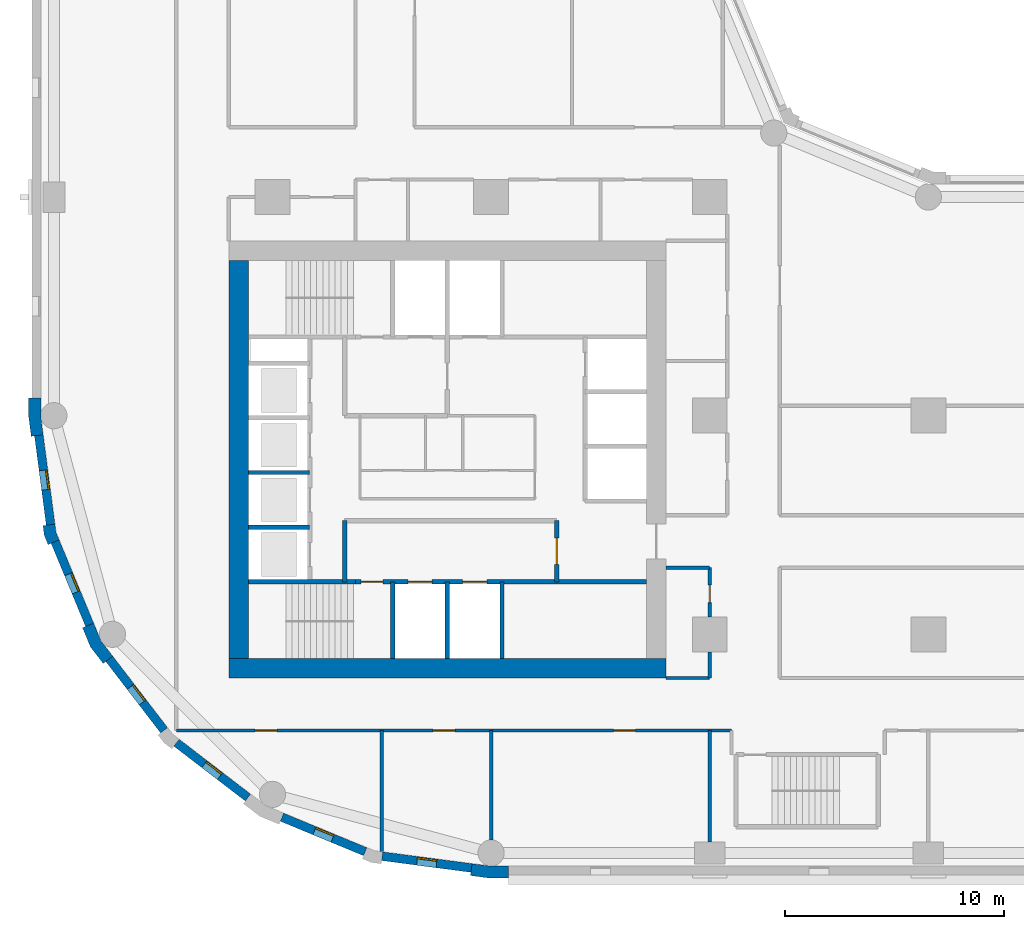
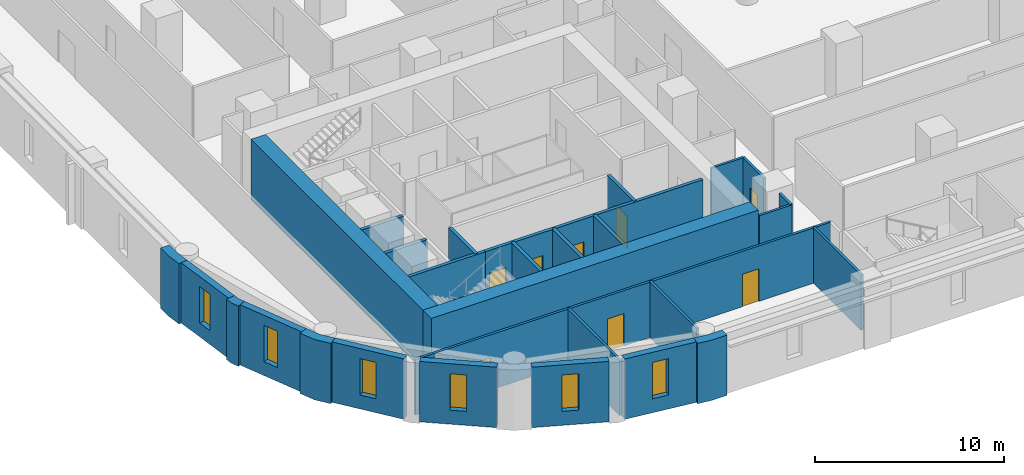
# One storey, part 2 of 10: 29 walls, 8 doors, 6 windows, 14 openings.
"""IFC4 building model written with IfcOpenShell, lengths in metres."""

from ifc_helpers import new_model, si_unit, direction, frame, frame_2d, origin, place, context, subcontext, project, spatial, polyline, rectangle, outline, extrude, material, layer, layer_set, type_object, element, fill, save


model = new_model("IFC4")

# Units and contexts
model_context = context("Model", 3, precision=1e-05, world=origin(), true_north=direction((0.0, 1.0)))
body_context = subcontext(model_context, "Body", "Model", "MODEL_VIEW")
ifc_project = project(units=[si_unit("LENGTHUNIT", "METRE"), si_unit("AREAUNIT", "SQUARE_METRE"), si_unit("VOLUMEUNIT", "CUBIC_METRE"), si_unit("PLANEANGLEUNIT", "RADIAN"), si_unit("MASSUNIT", "GRAM", prefix="KILO")], contexts=[model_context])

# Site, building, storey
site_placement = place(None, origin())
site = spatial("IfcSite", under=ifc_project, at=site_placement, CompositionType="ELEMENT")
building_placement = place(site_placement, origin())
building = spatial("IfcBuilding", under=site, at=building_placement, Name="Qaws Garden Tower", CompositionType="ELEMENT")
storey_placement = place(building_placement, frame((0.0, 0.0, 109.5)))
storey = spatial("IfcBuildingStorey", under=building, at=storey_placement, Name="L27", CompositionType="ELEMENT", Elevation=109.5)

# Wall, opening, window
ifc_material_1 = material(Name="Clay facing brick masonry", Category="masonry")
ifc_layer_1 = layer(ifc_material_1, 0.39990234375)
ifc_layer_set_1 = layer_set([ifc_layer_1], Name="Clay facing brick masonry")
wall_type_1 = type_object("IfcWallType", Name="Brick infill wall 400", PredefinedType="SOLIDWALL", material=ifc_layer_set_1)
wall_1_placement = place(storey_placement, frame((-0.688720703125, 19.102294921875, 0.0), z_axis=(0.0, 0.0, 1.0), x_axis=(0.130514280502, -0.991446429508, 0.0)))
wall_1 = element("IfcWall", 1, at=wall_1_placement, inside=storey, type_object=wall_type_1, Name="E-L27-infill-27", PredefinedType="SOLIDWALL", context=body_context, shape_type="SweptSolid", body=[
    extrude(rectangle(XDim=4.120849609375, YDim=0.39990234375, at=frame_2d((2.060546875, 0.0))), origin(), (0.0, 0.0, 1.0), 3.89990234375),
])
opening_1_placement = place(wall_1_placement, frame((1.610595703125, 0.0, 0.89990234375)))
opening_1 = element("IfcOpeningElement", 2, at=opening_1_placement, cuts=wall_1, Name="Opening W09", PredefinedType="OPENING", context=body_context, shape_type="SweptSolid", body=[
    extrude(rectangle(XDim=0.89990234375, YDim=2.35009765625, at=frame_2d((0.449951171875, 1.175048828125))), frame((0.0, 0.2099609375, 0.0), z_axis=(0.0, -1.0, 0.0), x_axis=(1.0, 0.0, 0.0)), (0.0, 0.0, 1.0), 0.419921875),
])
ifc_material_2 = material(Name="Aluminium framed window, clear glazing", Category="aluminium")
window_type = type_object("IfcWindowType", Name="Slit window 900 x 2350", PartitioningType="SINGLE_PANEL", PredefinedType="WINDOW", material=ifc_material_2)
window_1_placement = place(opening_1_placement, origin())
window_1 = element("IfcWindow", 3, at=window_1_placement, inside=storey, type_object=window_type, Name="E-L27-window-27-0", OverallHeight=2.35009765625, OverallWidth=0.89990234375, PartitioningType="SINGLE_PANEL", PredefinedType="WINDOW", context=body_context, shape_type="SweptSolid", body=[
    extrude(rectangle(XDim=0.89990234375, YDim=2.35009765625, at=frame_2d((0.449951171875, 1.175048828125))), frame((0.0, 0.159912109375, 0.0), z_axis=(0.0, -1.0, 0.0), x_axis=(1.0, 0.0, 0.0)), (0.0, 0.0, 1.0), 0.06005859375),
])
fill(opening_1, window_1)

wall_2_placement = place(storey_placement, frame((0.05712890625, 14.240234375, 0.0), z_axis=(0.0, 0.0, 1.0), x_axis=(0.382721546029, -0.923863744394, 0.0)))
wall_2 = element("IfcWall", 4, at=wall_2_placement, inside=storey, type_object=wall_type_1, Name="E-L27-infill-28", PredefinedType="SOLIDWALL", context=body_context, shape_type="SweptSolid", body=[
    extrude(rectangle(XDim=4.120849609375, YDim=0.39990234375, at=frame_2d((2.060546875, 0.0))), origin(), (0.0, 0.0, 1.0), 3.89990234375),
])
opening_2_placement = place(wall_2_placement, frame((1.610595703125, 0.0, 0.89990234375)))
opening_2 = element("IfcOpeningElement", 5, at=opening_2_placement, cuts=wall_2, Name="Opening W09", PredefinedType="OPENING", context=body_context, shape_type="SweptSolid", body=[
    extrude(rectangle(XDim=0.89990234375, YDim=2.35009765625, at=frame_2d((0.449951171875, 1.175048828125))), frame((0.0, 0.2099609375, 0.0), z_axis=(0.0, -1.0, 0.0), x_axis=(1.0, 0.0, 0.0)), (0.0, 0.0, 1.0), 0.419921875),
])
window_2_placement = place(opening_2_placement, origin())
window_2 = element("IfcWindow", 6, at=window_2_placement, inside=storey, type_object=window_type, Name="E-L27-window-28-0", OverallHeight=2.35009765625, OverallWidth=0.89990234375, PartitioningType="SINGLE_PANEL", PredefinedType="WINDOW", context=body_context, shape_type="SweptSolid", body=[
    extrude(rectangle(XDim=0.89990234375, YDim=2.35009765625, at=frame_2d((0.449951171875, 1.175048828125))), frame((0.0, 0.159912109375, 0.0), z_axis=(0.0, -1.0, 0.0), x_axis=(1.0, 0.0, 0.0)), (0.0, 0.0, 1.0), 0.06005859375),
])
fill(opening_2, window_2)

wall_3_placement = place(storey_placement, frame((2.53173828125, 8.87841796875, 0.0), z_axis=(0.0, 0.0, 1.0), x_axis=(0.608759824817, -0.793354571229, 0.0)))
wall_3 = element("IfcWall", 7, at=wall_3_placement, inside=storey, type_object=wall_type_1, Name="E-L27-infill-29", PredefinedType="SOLIDWALL", context=body_context, shape_type="SweptSolid", body=[
    extrude(rectangle(XDim=4.12109375, YDim=0.39990234375, at=frame_2d((2.060546875, 0.0))), origin(), (0.0, 0.0, 1.0), 3.89990234375),
])
opening_3_placement = place(wall_3_placement, frame((1.610595703125, 0.0, 0.89990234375)))
opening_3 = element("IfcOpeningElement", 8, at=opening_3_placement, cuts=wall_3, Name="Opening W09", PredefinedType="OPENING", context=body_context, shape_type="SweptSolid", body=[
    extrude(rectangle(XDim=0.89990234375, YDim=2.35009765625, at=frame_2d((0.449951171875, 1.175048828125))), frame((0.0, 0.2099609375, 0.0), z_axis=(0.0, -1.0, 0.0), x_axis=(1.0, 0.0, 0.0)), (0.0, 0.0, 1.0), 0.419921875),
])
window_3_placement = place(opening_3_placement, origin())
window_3 = element("IfcWindow", 9, at=window_3_placement, inside=storey, type_object=window_type, Name="E-L27-window-29-0", OverallHeight=2.35009765625, OverallWidth=0.89990234375, PartitioningType="SINGLE_PANEL", PredefinedType="WINDOW", context=body_context, shape_type="SweptSolid", body=[
    extrude(rectangle(XDim=0.89990234375, YDim=2.35009765625, at=frame_2d((0.449951171875, 1.175048828125))), frame((0.0, 0.159912109375, 0.0), z_axis=(0.0, -1.0, 0.0), x_axis=(1.0, 0.0, 0.0)), (0.0, 0.0, 1.0), 0.06005859375),
])
fill(opening_3, window_3)

wall_4_placement = place(storey_placement, frame((5.60888671875, 5.04052734375, 0.0), z_axis=(0.0, 0.0, 1.0), x_axis=(0.793354571229, -0.608759824817, 0.0)))
wall_4 = element("IfcWall", 10, at=wall_4_placement, inside=storey, type_object=wall_type_1, Name="E-L27-infill-30", PredefinedType="SOLIDWALL", context=body_context, shape_type="SweptSolid", body=[
    extrude(rectangle(XDim=4.12109375, YDim=0.39990234375, at=frame_2d((2.060546875, 0.0))), origin(), (0.0, 0.0, 1.0), 3.89990234375),
])
opening_4_placement = place(wall_4_placement, frame((1.610595703125, 0.0, 0.89990234375)))
opening_4 = element("IfcOpeningElement", 11, at=opening_4_placement, cuts=wall_4, Name="Opening W09", PredefinedType="OPENING", context=body_context, shape_type="SweptSolid", body=[
    extrude(rectangle(XDim=0.89990234375, YDim=2.35009765625, at=frame_2d((0.449951171875, 1.175048828125))), frame((0.0, 0.2099609375, 0.0), z_axis=(0.0, -1.0, 0.0), x_axis=(1.0, 0.0, 0.0)), (0.0, 0.0, 1.0), 0.419921875),
])
window_4_placement = place(opening_4_placement, origin())
window_4 = element("IfcWindow", 12, at=window_4_placement, inside=storey, type_object=window_type, Name="E-L27-window-30-0", OverallHeight=2.35009765625, OverallWidth=0.89990234375, PartitioningType="SINGLE_PANEL", PredefinedType="WINDOW", context=body_context, shape_type="SweptSolid", body=[
    extrude(rectangle(XDim=0.89990234375, YDim=2.35009765625, at=frame_2d((0.449951171875, 1.175048828125))), frame((0.0, 0.159912109375, 0.0), z_axis=(0.0, -1.0, 0.0), x_axis=(1.0, 0.0, 0.0)), (0.0, 0.0, 1.0), 0.06005859375),
])
fill(opening_4, window_4)

wall_5_placement = place(storey_placement, frame((10.43310546875, 1.63427734375, 0.0), z_axis=(0.0, 0.0, 1.0), x_axis=(0.923863744394, -0.382721546029, 0.0)))
wall_5 = element("IfcWall", 13, at=wall_5_placement, inside=storey, type_object=wall_type_1, Name="E-L27-infill-31", PredefinedType="SOLIDWALL", context=body_context, shape_type="SweptSolid", body=[
    extrude(rectangle(XDim=4.120849609375, YDim=0.39990234375, at=frame_2d((2.060546875, 0.0))), origin(), (0.0, 0.0, 1.0), 3.89990234375),
])
opening_5_placement = place(wall_5_placement, frame((1.610595703125, 0.0, 0.89990234375)))
opening_5 = element("IfcOpeningElement", 14, at=opening_5_placement, cuts=wall_5, Name="Opening W09", PredefinedType="OPENING", context=body_context, shape_type="SweptSolid", body=[
    extrude(rectangle(XDim=0.89990234375, YDim=2.35009765625, at=frame_2d((0.449951171875, 1.175048828125))), frame((0.0, 0.2099609375, 0.0), z_axis=(0.0, -1.0, 0.0), x_axis=(1.0, 0.0, 0.0)), (0.0, 0.0, 1.0), 0.419921875),
])
window_5_placement = place(opening_5_placement, origin())
window_5 = element("IfcWindow", 15, at=window_5_placement, inside=storey, type_object=window_type, Name="E-L27-window-31-0", OverallHeight=2.35009765625, OverallWidth=0.89990234375, PartitioningType="SINGLE_PANEL", PredefinedType="WINDOW", context=body_context, shape_type="SweptSolid", body=[
    extrude(rectangle(XDim=0.89990234375, YDim=2.35009765625, at=frame_2d((0.449951171875, 1.175048828125))), frame((0.0, 0.159912109375, 0.0), z_axis=(0.0, -1.0, 0.0), x_axis=(1.0, 0.0, 0.0)), (0.0, 0.0, 1.0), 0.06005859375),
])
fill(opening_5, window_5)

wall_6_placement = place(storey_placement, frame((15.0166015625, -0.15087890625, 0.0), z_axis=(0.0, 0.0, 1.0), x_axis=(0.991446429508, -0.130514280502, 0.0)))
wall_6 = element("IfcWall", 16, at=wall_6_placement, inside=storey, type_object=wall_type_1, Name="E-L27-infill-32", PredefinedType="SOLIDWALL", context=body_context, shape_type="SweptSolid", body=[
    extrude(rectangle(XDim=4.120849609375, YDim=0.39990234375, at=frame_2d((2.060546875, 0.0))), origin(), (0.0, 0.0, 1.0), 3.89990234375),
])
opening_6_placement = place(wall_6_placement, frame((1.610595703125, 0.0, 0.89990234375)))
opening_6 = element("IfcOpeningElement", 17, at=opening_6_placement, cuts=wall_6, Name="Opening W09", PredefinedType="OPENING", context=body_context, shape_type="SweptSolid", body=[
    extrude(rectangle(XDim=0.89990234375, YDim=2.35009765625, at=frame_2d((0.449951171875, 1.175048828125))), frame((0.0, 0.2099609375, 0.0), z_axis=(0.0, -1.0, 0.0), x_axis=(1.0, 0.0, 0.0)), (0.0, 0.0, 1.0), 0.419921875),
])
window_6_placement = place(opening_6_placement, origin())
window_6 = element("IfcWindow", 18, at=window_6_placement, inside=storey, type_object=window_type, Name="E-L27-window-32-0", OverallHeight=2.35009765625, OverallWidth=0.89990234375, PartitioningType="SINGLE_PANEL", PredefinedType="WINDOW", context=body_context, shape_type="SweptSolid", body=[
    extrude(rectangle(XDim=0.89990234375, YDim=2.35009765625, at=frame_2d((0.449951171875, 1.175048828125))), frame((0.0, 0.159912109375, 0.0), z_axis=(0.0, -1.0, 0.0), x_axis=(1.0, 0.0, 0.0)), (0.0, 0.0, 1.0), 0.06005859375),
])
fill(opening_6, window_6)

# Walls
ifc_material_3 = material(Name="Clay facing brick masonry", Category="masonry")
ifc_layer_2 = layer(ifc_material_3, 0.550048828125)
ifc_layer_set_2 = layer_set([ifc_layer_2], Name="Clay facing brick masonry")
wall_type_2 = type_object("IfcWallType", Name="Brick kink pier 550 x 600", PredefinedType="SOLIDWALL", material=ifc_layer_set_2)
placement = place(storey_placement, origin())
element("IfcWall", 19, at=placement, inside=storey, type_object=wall_type_2, Name="E-L27-pier-28", PredefinedType="SOLIDWALL", context=body_context, shape_type="SweptSolid", body=[
    extrude(outline(polyline([(-0.34912109375, 14.990478515625), (-0.497802734375, 14.970947265625), (-0.43896484375, 14.5234375), (-0.26611328125, 14.1064453125), (-0.127685546875, 14.163818359375), (0.241943359375, 14.31689453125), (0.096923828125, 14.6669921875), (0.04736328125, 15.042724609375), (-0.34912109375, 14.990478515625)])), origin(), (0.0, 0.0, 1.0), 3.89990234375),
])
ifc_material_4 = material(Name="Clay facing brick masonry", Category="masonry")
ifc_layer_3 = layer(ifc_material_4, 0.550048828125)
ifc_layer_set_3 = layer_set([ifc_layer_3], Name="Clay facing brick masonry")
wall_type_3 = type_object("IfcWallType", Name="Brick pier 550 x 1600", PredefinedType="SOLIDWALL", material=ifc_layer_set_3)
element("IfcWall", 20, at=placement, inside=storey, type_object=wall_type_3, Name="E-L27-pier-00", PredefinedType="SOLIDWALL", context=body_context, shape_type="SweptSolid", body=[
    extrude(outline(polyline([(19.076416015625, -0.886962890625), (19.056640625, -1.03564453125), (19.924560546875, -1.14990234375), (20.800048828125, -1.14990234375), (20.800048828125, -1.0), (20.800048828125, -0.60009765625), (19.960693359375, -0.60009765625), (19.12841796875, -0.490478515625), (19.076416015625, -0.886962890625)])), origin(), (0.0, 0.0, 1.0), 3.89990234375),
])
element("IfcWall", 21, at=placement, inside=storey, type_object=wall_type_3, Name="E-L27-pier-27", PredefinedType="SOLIDWALL", context=body_context, shape_type="SweptSolid", body=[
    extrude(outline(polyline([(-1.0, 20.800048828125), (-1.14990234375, 20.800048828125), (-1.14990234375, 19.924560546875), (-1.03564453125, 19.056640625), (-0.886962890625, 19.076416015625), (-0.490478515625, 19.12841796875), (-0.60009765625, 19.960693359375), (-0.60009765625, 20.800048828125), (-1.0, 20.800048828125)])), origin(), (0.0, 0.0, 1.0), 3.89990234375),
])
element("IfcWall", 22, at=placement, inside=storey, type_object=wall_type_3, Name="E-L27-pier-29", PredefinedType="SOLIDWALL", context=body_context, shape_type="SweptSolid", body=[
    extrude(outline(polyline([(1.449462890625, 10.3564453125), (1.310791015625, 10.299072265625), (1.675048828125, 9.419921875), (2.254150390625, 8.665283203125), (2.373046875, 8.756591796875), (2.6904296875, 9.0), (2.1552734375, 9.697509765625), (1.819091796875, 10.509521484375), (1.449462890625, 10.3564453125)])), origin(), (0.0, 0.0, 1.0), 3.89990234375),
])
ifc_material_5 = material(Name="Concrete C80", Category="concrete")
ifc_layer_4 = layer(ifc_material_5, 0.199951171875)
ifc_layer_set_4 = layer_set([ifc_layer_4], Name="Concrete C80")
wall_type_4 = type_object("IfcWallType", Name="Core shaft wall 200 C80", PredefinedType="SHEAR", material=ifc_layer_set_4)
wall_11_placement = place(storey_placement, frame((8.89990234375, 12.39990234375, 0.0), z_axis=(0.0, 0.0, 1.0), x_axis=(1.0, 0.0, 0.0)))
element("IfcWall", 23, at=wall_11_placement, inside=storey, type_object=wall_type_4, Name="Shaft wall", PredefinedType="SHEAR", context=body_context, shape_type="SweptSolid", body=[
    extrude(rectangle(XDim=4.900146484375, YDim=0.199951171875, at=frame_2d((2.4501953125, 0.0))), origin(), (0.0, 0.0, 1.0), 3.580078125),
])

# Wall, openings, doors
wall_12_placement = place(storey_placement, frame((13.800048828125, 12.39990234375, 0.0), z_axis=(0.0, 0.0, 1.0), x_axis=(1.0, 0.0, 0.0)))
wall_12 = element("IfcWall", 24, at=wall_12_placement, inside=storey, type_object=wall_type_4, Name="Shaft wall", PredefinedType="SHEAR", context=body_context, shape_type="SweptSolid", body=[
    extrude(rectangle(XDim=13.300048828125, YDim=0.199951171875, at=frame_2d((6.64990234375, 0.0))), origin(), (0.0, 0.0, 1.0), 3.580078125),
])
opening_7_placement = place(wall_12_placement, frame((2.39990234375, 0.0, 0.0)))
opening_7 = element("IfcOpeningElement", 25, at=opening_7_placement, cuts=wall_12, Name="Opening LD06", PredefinedType="OPENING", context=body_context, shape_type="SweptSolid", body=[
    extrude(rectangle(XDim=1.10009765625, YDim=2.10009765625, at=frame_2d((0.550048828125, 1.050048828125))), frame((0.0, 0.10986328125, 0.0), z_axis=(0.0, -1.0, 0.0), x_axis=(1.0, 0.0, 0.0)), (0.0, 0.0, 1.0), 0.219970703125),
])
opening_8_placement = place(wall_12_placement, frame((4.89990234375, 0.0, 0.0)))
opening_8 = element("IfcOpeningElement", 26, at=opening_8_placement, cuts=wall_12, Name="Opening LD07", PredefinedType="OPENING", context=body_context, shape_type="SweptSolid", body=[
    extrude(rectangle(XDim=1.10009765625, YDim=2.10009765625, at=frame_2d((0.550048828125, 1.050048828125))), frame((0.0, 0.10986328125, 0.0), z_axis=(0.0, -1.0, 0.0), x_axis=(1.0, 0.0, 0.0)), (0.0, 0.0, 1.0), 0.219970703125),
])
opening_9_placement = place(wall_12_placement, frame((0.25, 0.0, 0.0)))
opening_9 = element("IfcOpeningElement", 27, at=opening_9_placement, cuts=wall_12, Name="Opening SD10", PredefinedType="OPENING", context=body_context, shape_type="SweptSolid", body=[
    extrude(rectangle(XDim=1.0, YDim=2.10009765625, at=frame_2d((0.5, 1.050048828125))), frame((0.0, 0.10986328125, 0.0), z_axis=(0.0, -1.0, 0.0), x_axis=(1.0, 0.0, 0.0)), (0.0, 0.0, 1.0), 0.219970703125),
])
ifc_material_6 = material(Name="Steel S235", Category="steel")
door_type_1 = type_object("IfcDoorType", Name="Landing door 1100x2100", OperationType="DOUBLE_DOOR_SLIDING", PredefinedType="DOOR", material=ifc_material_6)
door_1_placement = place(opening_7_placement, origin())
door_1 = element("IfcDoor", 28, at=door_1_placement, inside=storey, type_object=door_type_1, Name="Lift FF1 landing door", OperationType="DOUBLE_DOOR_SLIDING", OverallHeight=2.10009765625, OverallWidth=1.10009765625, PredefinedType="DOOR", context=body_context, shape_type="SweptSolid", body=[
    extrude(rectangle(XDim=1.10009765625, YDim=2.10009765625, at=frame_2d((0.550048828125, 1.050048828125))), frame((0.0, 0.02490234375, 0.0), z_axis=(0.0, -1.0, 0.0), x_axis=(1.0, 0.0, 0.0)), (0.0, 0.0, 1.0), 0.050048828125),
])
fill(opening_7, door_1)
door_2_placement = place(opening_8_placement, origin())
door_2 = element("IfcDoor", 29, at=door_2_placement, inside=storey, type_object=door_type_1, Name="Lift FF2 landing door", OperationType="DOUBLE_DOOR_SLIDING", OverallHeight=2.10009765625, OverallWidth=1.10009765625, PredefinedType="DOOR", context=body_context, shape_type="SweptSolid", body=[
    extrude(rectangle(XDim=1.10009765625, YDim=2.10009765625, at=frame_2d((0.550048828125, 1.050048828125))), frame((0.0, 0.02490234375, 0.0), z_axis=(0.0, -1.0, 0.0), x_axis=(1.0, 0.0, 0.0)), (0.0, 0.0, 1.0), 0.050048828125),
])
fill(opening_8, door_2)
ifc_material_7 = material(Name="Steel S235", Category="steel")
door_type_2 = type_object("IfcDoorType", Name="Stair door 1000x2100", OperationType="SINGLE_SWING_RIGHT", PredefinedType="DOOR", material=ifc_material_7)
door_3_placement = place(opening_9_placement, frame((1.0, 0.0, 0.0), z_axis=(0.0, 0.0, 1.0), x_axis=(-1.0, 0.0, 0.0)))
door_3 = element("IfcDoor", 30, at=door_3_placement, inside=storey, type_object=door_type_2, Name="Stair 1 door", OperationType="SINGLE_SWING_LEFT", OverallHeight=2.10009765625, OverallWidth=1.0, PredefinedType="DOOR", context=body_context, shape_type="SweptSolid", body=[
    extrude(rectangle(XDim=1.0, YDim=2.10009765625, at=frame_2d((0.5, 1.050048828125))), frame((0.0, 0.02490234375, 0.0), z_axis=(0.0, -1.0, 0.0), x_axis=(1.0, 0.0, 0.0)), (0.0, 0.0, 1.0), 0.050048828125),
])
fill(opening_9, door_3)

# Walls
for number, where, z_axis, x_axis, name in (
    (31, (8.89990234375, 14.89990234375, 0.0), (0.0, 0.0, 1.0), (1.0, 0.0, 0.0), "Shaft wall"),
    (32, (8.89990234375, 17.39990234375, 0.0), (0.0, 0.0, 1.0), (1.0, 0.0, 0.0), "Shaft wall"),
    (33, (13.300048828125, 12.39990234375, 0.0), (0.0, 0.0, 1.0), (0.0, 1.0, 0.0), "Shaft wall"),
):
    element("IfcWall", number, at=place(storey_placement, frame(where, z_axis=z_axis, x_axis=x_axis)), inside=storey, type_object=wall_type_4, Name=name, PredefinedType="SHEAR", context=body_context, shape_type="SweptSolid", body=[
        extrude(rectangle(XDim=2.800048828125, YDim=0.199951171875, at=frame_2d((1.39990234375, 0.0))), origin(), (0.0, 0.0, 1.0), 3.580078125),
    ])
for number, where, z_axis, x_axis, name in (
    (34, (15.5, 8.89990234375, 0.0), (0.0, 0.0, 1.0), (0.0, 1.0, 0.0), "Shaft wall"),
    (35, (18.0, 8.89990234375, 0.0), (0.0, 0.0, 1.0), (0.0, 1.0, 0.0), "Shaft wall"),
    (36, (20.5, 8.89990234375, 0.0), (0.0, 0.0, 1.0), (0.0, 1.0, 0.0), "Shaft wall"),
):
    element("IfcWall", number, at=place(storey_placement, frame(where, z_axis=z_axis, x_axis=x_axis)), inside=storey, type_object=wall_type_4, Name=name, PredefinedType="SHEAR", context=body_context, shape_type="SweptSolid", body=[
        extrude(rectangle(XDim=3.5, YDim=0.199951171875, at=frame_2d((1.75, 0.0))), origin(), (0.0, 0.0, 1.0), 3.580078125),
    ])

# Wall, opening, door
wall_13_placement = place(storey_placement, frame((23.0, 12.39990234375, 0.0), z_axis=(0.0, 0.0, 1.0), x_axis=(0.0, 1.0, 0.0)))
wall_13 = element("IfcWall", 37, at=wall_13_placement, inside=storey, type_object=wall_type_4, Name="Shaft wall", PredefinedType="SHEAR", context=body_context, shape_type="SweptSolid", body=[
    extrude(rectangle(XDim=2.800048828125, YDim=0.199951171875, at=frame_2d((1.39990234375, 0.0))), origin(), (0.0, 0.0, 1.0), 3.580078125),
])
opening_10_placement = place(wall_13_placement, frame((0.800048828125, 0.0, 0.0)))
opening_10 = element("IfcOpeningElement", 38, at=opening_10_placement, cuts=wall_13, Name="Opening FD15", PredefinedType="OPENING", context=body_context, shape_type="SweptSolid", body=[
    extrude(rectangle(XDim=1.199951171875, YDim=2.10009765625, at=frame_2d((0.60009765625, 1.050048828125))), frame((0.0, 0.10986328125, 0.0), z_axis=(0.0, -1.0, 0.0), x_axis=(1.0, 0.0, 0.0)), (0.0, 0.0, 1.0), 0.219970703125),
])
ifc_material_8 = material(Name="Steel S235", Category="steel")
door_type_3 = type_object("IfcDoorType", Name="Lobby door 1200x2100", OperationType="DOUBLE_DOOR_SINGLE_SWING", PredefinedType="DOOR", material=ifc_material_8)
door_4_placement = place(opening_10_placement, origin())
door_4 = element("IfcDoor", 39, at=door_4_placement, inside=storey, type_object=door_type_3, Name="Fire-fighting lobby door", OperationType="DOUBLE_DOOR_SINGLE_SWING", OverallHeight=2.10009765625, OverallWidth=1.199951171875, PredefinedType="DOOR", context=body_context, shape_type="SweptSolid", body=[
    extrude(rectangle(XDim=1.199951171875, YDim=2.10009765625, at=frame_2d((0.60009765625, 1.050048828125))), frame((0.0, 0.02490234375, 0.0), z_axis=(0.0, -1.0, 0.0), x_axis=(1.0, 0.0, 0.0)), (0.0, 0.0, 1.0), 0.050048828125),
])
fill(opening_10, door_4)

# Walls
ifc_material_9 = material(Name="Concrete C80", Category="concrete")
ifc_layer_5 = layer(ifc_material_9, 0.89990234375)
ifc_layer_set_5 = layer_set([ifc_layer_5], Name="Concrete C80")
wall_type_5 = type_object("IfcWallType", Name="Core wall 900 C80", PredefinedType="SHEAR", material=ifc_layer_set_5)
wall_14_placement = place(storey_placement, frame((8.0, 8.449951171875, 0.0), z_axis=(0.0, 0.0, 1.0), x_axis=(1.0, 0.0, 0.0)))
element("IfcWall", 40, at=wall_14_placement, inside=storey, type_object=wall_type_5, Name="Core wall L27 south", PredefinedType="SHEAR", context=body_context, shape_type="SweptSolid", body=[
    extrude(rectangle(XDim=20.0, YDim=0.89990234375, at=frame_2d((10.0, 0.0))), origin(), (0.0, 0.0, 1.0), 3.89990234375),
])
wall_15_placement = place(storey_placement, frame((8.449951171875, 27.10009765625, 0.0), z_axis=(0.0, 0.0, 1.0), x_axis=(0.0, -1.0, 0.0)))
element("IfcWall", 41, at=wall_15_placement, inside=storey, type_object=wall_type_5, Name="Core wall L27 west", PredefinedType="SHEAR", context=body_context, shape_type="SweptSolid", body=[
    extrude(rectangle(XDim=18.2001953125, YDim=0.89990234375, at=frame_2d((9.10009765625, 0.0))), origin(), (0.0, 0.0, 1.0), 3.89990234375),
])
ifc_material_10 = material(Name="Gypsum board partition")
ifc_layer_6 = layer(ifc_material_10, 0.14990234375)
ifc_layer_set_6 = layer_set([ifc_layer_6], Name="Gypsum board partition")
wall_type_6 = type_object("IfcWallType", Name="PARTITION 150 EI 60", PredefinedType="PARTITIONING", material=ifc_layer_set_6)
wall_16_placement = place(storey_placement, frame((15.0, 0.06298828125, 0.0), z_axis=(0.0, 0.0, 1.0), x_axis=(0.0, 1.0, 0.0)))
element("IfcWall", 42, at=wall_16_placement, inside=storey, type_object=wall_type_6, Name="O-L27-wall-011", PredefinedType="PARTITIONING", context=body_context, shape_type="SweptSolid", body=[
    extrude(rectangle(XDim=5.537109375, YDim=0.14990234375, at=frame_2d((2.7685546875, 0.0))), origin(), (0.0, 0.0, 1.0), 3.580078125),
])
wall_17_placement = place(storey_placement, frame((20.0, 0.60009765625, 0.0), z_axis=(0.0, 0.0, 1.0), x_axis=(0.0, 1.0, 0.0)))
element("IfcWall", 43, at=wall_17_placement, inside=storey, type_object=wall_type_6, Name="O-L27-wall-015", PredefinedType="PARTITIONING", context=body_context, shape_type="SweptSolid", body=[
    extrude(rectangle(XDim=5.0, YDim=0.14990234375, at=frame_2d((2.5, 0.0))), origin(), (0.0, 0.0, 1.0), 3.580078125),
])
wall_18_placement = place(storey_placement, frame((30.0, 0.5, 0.0), z_axis=(0.0, 0.0, 1.0), x_axis=(0.0, 1.0, 0.0)))
element("IfcWall", 44, at=wall_18_placement, inside=storey, type_object=wall_type_6, Name="O-L27-wall-019", PredefinedType="PARTITIONING", context=body_context, shape_type="SweptSolid", body=[
    extrude(rectangle(XDim=5.10009765625, YDim=0.14990234375, at=frame_2d((2.550048828125, 0.0))), origin(), (0.0, 0.0, 1.0), 3.580078125),
])
wall_19_placement = place(storey_placement, frame((30.0, 8.0, 0.0), z_axis=(0.0, 0.0, 1.0), x_axis=(0.0, 1.0, 0.0)))
element("IfcWall", 45, at=wall_19_placement, inside=storey, type_object=wall_type_6, Name="O-L27-wall-020", PredefinedType="PARTITIONING", context=body_context, shape_type="SweptSolid", body=[
    extrude(rectangle(XDim=1.199951171875, YDim=0.14990234375, at=frame_2d((0.60009765625, 0.0))), origin(), (0.0, 0.0, 1.0), 3.580078125),
])

# Wall, opening, door
wall_20_placement = place(storey_placement, frame((30.0, 10.800048828125, 0.0), z_axis=(0.0, 0.0, 1.0), x_axis=(0.0, 1.0, 0.0)))
wall_20 = element("IfcWall", 46, at=wall_20_placement, inside=storey, type_object=wall_type_6, Name="O-L27-wall-021", PredefinedType="PARTITIONING", context=body_context, shape_type="SweptSolid", body=[
    extrude(rectangle(XDim=2.25, YDim=0.14990234375, at=frame_2d((1.125, 0.0))), origin(), (0.0, 0.0, 1.0), 3.580078125),
])
opening_11_placement = place(wall_20_placement, frame((0.64990234375, 0.0, 0.0)))
opening_11 = element("IfcOpeningElement", 47, at=opening_11_placement, cuts=wall_20, Name="Opening A904", PredefinedType="OPENING", context=body_context, shape_type="SweptSolid", body=[
    extrude(rectangle(XDim=0.800048828125, YDim=2.10009765625, at=frame_2d((0.39990234375, 1.050048828125))), frame((0.0, 0.0849609375, 0.0), z_axis=(0.0, -1.0, 0.0), x_axis=(1.0, 0.0, 0.0)), (0.0, 0.0, 1.0), 0.169921875),
])
ifc_material_11 = material(Name="Timber door leaf", Category="wood")
door_type_4 = type_object("IfcDoorType", Name="STORE DOOR 800 X 2100", OperationType="SINGLE_SWING_LEFT", PredefinedType="DOOR", material=ifc_material_11)
door_5_placement = place(opening_11_placement, origin())
door_5 = element("IfcDoor", 48, at=door_5_placement, inside=storey, type_object=door_type_4, Name="O-L27-door-004", OperationType="SINGLE_SWING_LEFT", OverallHeight=2.10009765625, OverallWidth=0.800048828125, PredefinedType="DOOR", context=body_context, shape_type="SweptSolid", body=[
    extrude(rectangle(XDim=0.800048828125, YDim=2.10009765625, at=frame_2d((0.39990234375, 1.050048828125))), frame((0.0, 0.02490234375, 0.0), z_axis=(0.0, -1.0, 0.0), x_axis=(1.0, 0.0, 0.0)), (0.0, 0.0, 1.0), 0.050048828125),
])
fill(opening_11, door_5)

# Wall, openings, doors
wall_21_placement = place(storey_placement, frame((5.60009765625, 5.60009765625, 0.0), z_axis=(0.0, 0.0, 1.0), x_axis=(1.0, 0.0, 0.0)))
wall_21 = element("IfcWall", 49, at=wall_21_placement, inside=storey, type_object=wall_type_6, Name="O-L27-wall-036", PredefinedType="PARTITIONING", context=body_context, shape_type="SweptSolid", body=[
    extrude(rectangle(XDim=25.39990234375, YDim=0.14990234375, at=frame_2d((12.699951171875, 0.0))), origin(), (0.0, 0.0, 1.0), 3.580078125),
])
opening_12_placement = place(wall_21_placement, frame((3.60009765625, 0.0, 0.0)))
opening_12 = element("IfcOpeningElement", 50, at=opening_12_placement, cuts=wall_21, Name="Opening A902", PredefinedType="OPENING", context=body_context, shape_type="SweptSolid", body=[
    extrude(rectangle(XDim=1.0, YDim=2.10009765625, at=frame_2d((0.5, 1.050048828125))), frame((0.0, 0.0849609375, 0.0), z_axis=(0.0, -1.0, 0.0), x_axis=(1.0, 0.0, 0.0)), (0.0, 0.0, 1.0), 0.169921875),
])
opening_13_placement = place(wall_21_placement, frame((11.75, 0.0, 0.0)))
opening_13 = element("IfcOpeningElement", 51, at=opening_13_placement, cuts=wall_21, Name="Opening A912", PredefinedType="OPENING", context=body_context, shape_type="SweptSolid", body=[
    extrude(rectangle(XDim=1.0, YDim=2.10009765625, at=frame_2d((0.5, 1.050048828125))), frame((0.0, 0.0849609375, 0.0), z_axis=(0.0, -1.0, 0.0), x_axis=(1.0, 0.0, 0.0)), (0.0, 0.0, 1.0), 0.169921875),
])
opening_14_placement = place(wall_21_placement, frame((20.0, 0.0, 0.0)))
opening_14 = element("IfcOpeningElement", 52, at=opening_14_placement, cuts=wall_21, Name="Opening A920", PredefinedType="OPENING", context=body_context, shape_type="SweptSolid", body=[
    extrude(rectangle(XDim=1.0, YDim=2.10009765625, at=frame_2d((0.5, 1.050048828125))), frame((0.0, 0.0849609375, 0.0), z_axis=(0.0, -1.0, 0.0), x_axis=(1.0, 0.0, 0.0)), (0.0, 0.0, 1.0), 0.169921875),
])
ifc_material_12 = material(Name="Timber door leaf", Category="wood")
door_type_5 = type_object("IfcDoorType", Name="TENANCY ENTRANCE DOOR 1000 X 2100", OperationType="SINGLE_SWING_LEFT", PredefinedType="DOOR", material=ifc_material_12)
door_6_placement = place(opening_12_placement, frame((1.0, 0.0, 0.0), z_axis=(0.0, 0.0, 1.0), x_axis=(-1.0, 0.0, 0.0)))
door_6 = element("IfcDoor", 53, at=door_6_placement, inside=storey, type_object=door_type_5, Name="O-L27-door-002", OperationType="SINGLE_SWING_LEFT", OverallHeight=2.10009765625, OverallWidth=1.0, PredefinedType="DOOR", context=body_context, shape_type="SweptSolid", body=[
    extrude(rectangle(XDim=1.0, YDim=2.10009765625, at=frame_2d((0.5, 1.050048828125))), frame((0.0, 0.02490234375, 0.0), z_axis=(0.0, -1.0, 0.0), x_axis=(1.0, 0.0, 0.0)), (0.0, 0.0, 1.0), 0.050048828125),
])
fill(opening_12, door_6)
door_7_placement = place(opening_13_placement, frame((1.0, 0.0, 0.0), z_axis=(0.0, 0.0, 1.0), x_axis=(-1.0, 0.0, 0.0)))
door_7 = element("IfcDoor", 54, at=door_7_placement, inside=storey, type_object=door_type_5, Name="O-L27-door-012", OperationType="SINGLE_SWING_LEFT", OverallHeight=2.10009765625, OverallWidth=1.0, PredefinedType="DOOR", context=body_context, shape_type="SweptSolid", body=[
    extrude(rectangle(XDim=1.0, YDim=2.10009765625, at=frame_2d((0.5, 1.050048828125))), frame((0.0, 0.02490234375, 0.0), z_axis=(0.0, -1.0, 0.0), x_axis=(1.0, 0.0, 0.0)), (0.0, 0.0, 1.0), 0.050048828125),
])
fill(opening_13, door_7)
door_8_placement = place(opening_14_placement, frame((1.0, 0.0, 0.0), z_axis=(0.0, 0.0, 1.0), x_axis=(-1.0, 0.0, 0.0)))
door_8 = element("IfcDoor", 55, at=door_8_placement, inside=storey, type_object=door_type_5, Name="O-L27-door-020", OperationType="SINGLE_SWING_LEFT", OverallHeight=2.10009765625, OverallWidth=1.0, PredefinedType="DOOR", context=body_context, shape_type="SweptSolid", body=[
    extrude(rectangle(XDim=1.0, YDim=2.10009765625, at=frame_2d((0.5, 1.050048828125))), frame((0.0, 0.02490234375, 0.0), z_axis=(0.0, -1.0, 0.0), x_axis=(1.0, 0.0, 0.0)), (0.0, 0.0, 1.0), 0.050048828125),
])
fill(opening_14, door_8)

# Walls
for number, where, z_axis, x_axis, name in (
    (56, (28.0, 8.0, 0.0), (0.0, 0.0, 1.0), (1.0, 0.0, 0.0), "O-L27-wall-038"),
    (57, (28.0, 13.050048828125, 0.0), (0.0, 0.0, 1.0), (1.0, 0.0, 0.0), "O-L27-wall-040"),
):
    element("IfcWall", number, at=place(storey_placement, frame(where, z_axis=z_axis, x_axis=x_axis)), inside=storey, type_object=wall_type_6, Name=name, PredefinedType="PARTITIONING", context=body_context, shape_type="SweptSolid", body=[
        extrude(rectangle(XDim=2.0, YDim=0.14990234375, at=frame_2d((1.0, 0.0))), origin(), (0.0, 0.0, 1.0), 3.580078125),
    ])

save(model, "model.ifc")
